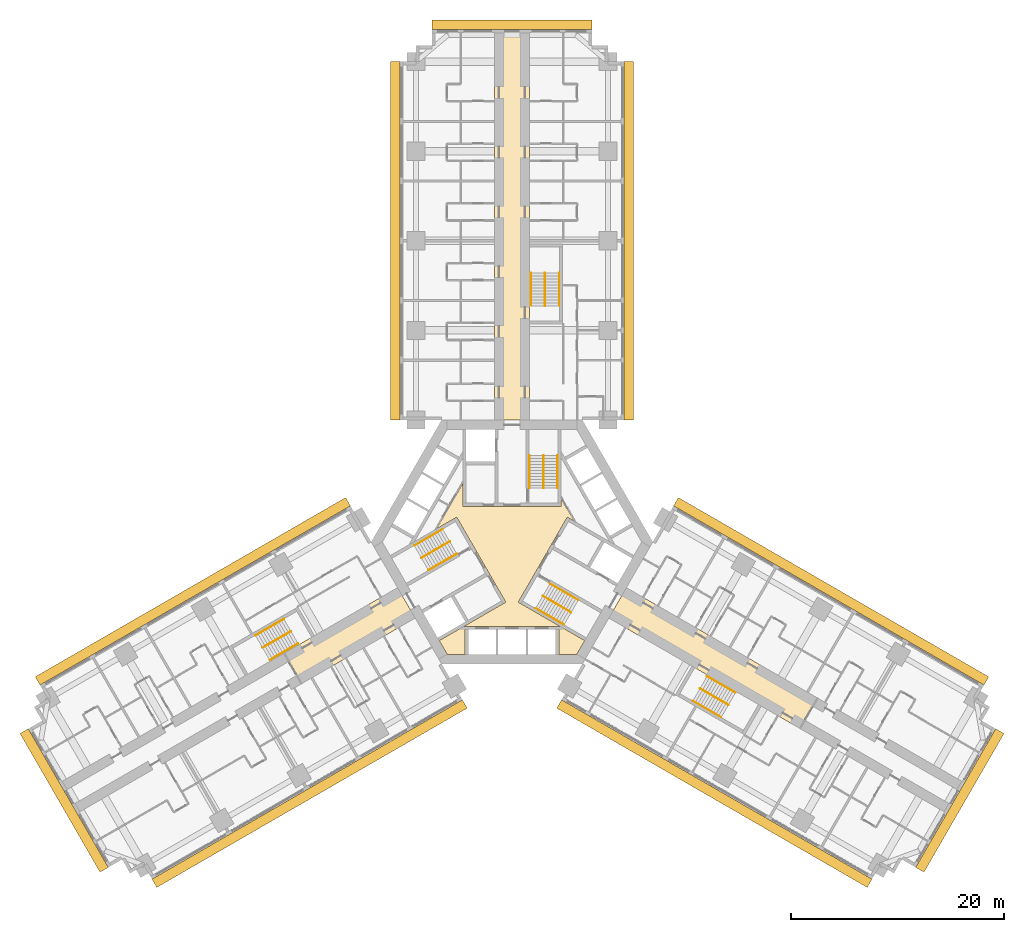
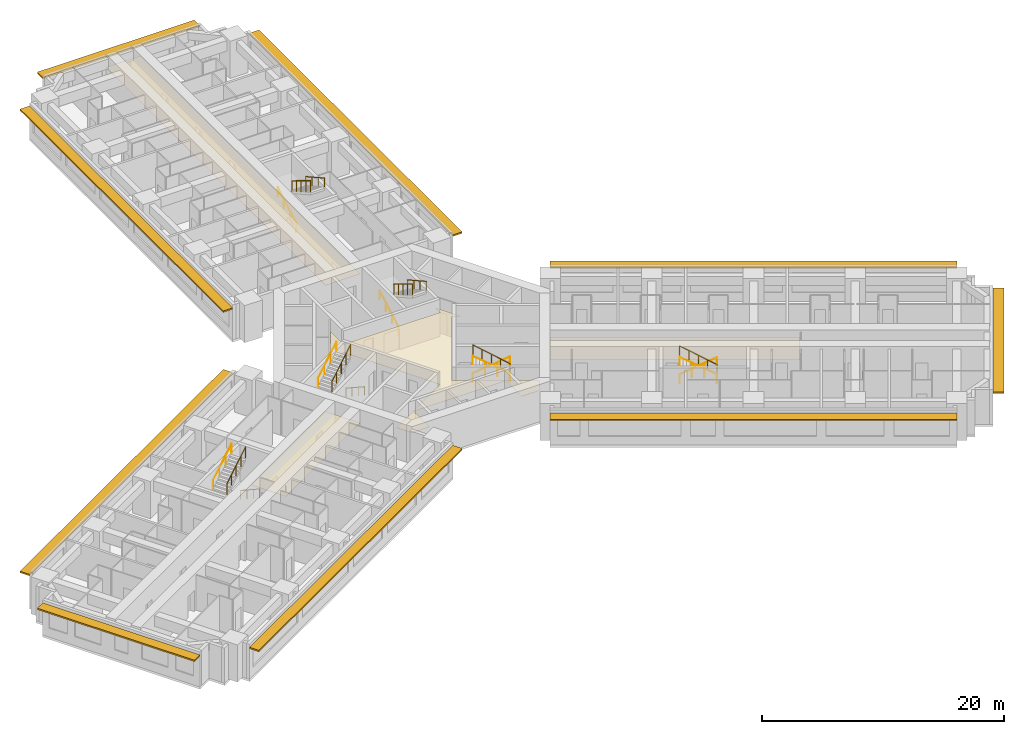
# One storey, part 17 of 17: 18 railings, 4 coverings, 3 shading devices.
"""IFC4 building model written with IfcOpenShell, lengths in metres."""

from ifc_helpers import new_model, si_unit, direction, frame, origin, origin_2d, place, context, subcontext, project, spatial, polyline, rectangle, circle, outline, extrude, material, layer, layer_set, type_object, element, save


model = new_model("IFC4")

# Units and contexts
model_context = context("Model", 3, precision=1e-05, world=origin(), true_north=direction((0.0, 1.0)))
body_context = subcontext(model_context, "Body", "Model", "MODEL_VIEW")
ifc_project = project(units=[si_unit("LENGTHUNIT", "METRE"), si_unit("AREAUNIT", "SQUARE_METRE"), si_unit("VOLUMEUNIT", "CUBIC_METRE"), si_unit("PLANEANGLEUNIT", "RADIAN"), si_unit("MASSUNIT", "GRAM", prefix="KILO")], contexts=[model_context])

# Site, building, storey
site_placement = place(None, origin())
site = spatial("IfcSite", under=ifc_project, at=site_placement, CompositionType="ELEMENT")
building_placement = place(site_placement, origin())
building = spatial("IfcBuilding", under=site, at=building_placement, Name="Impinga Residences", CompositionType="ELEMENT")
storey_placement = place(building_placement, frame((0.0, 0.0, 33.5)))
storey = spatial("IfcBuildingStorey", under=building, at=storey_placement, Name="L07", CompositionType="ELEMENT", Elevation=33.5)

# Coverings
ifc_material_1 = material(Name="Plasterboard 15 mm on steel hangers", Category="steel")
ifc_layer_1 = layer(ifc_material_1, 0.014892578125)
ifc_layer_set_1 = layer_set([ifc_layer_1], Name="Plasterboard 15 mm on steel hangers")
covering_type_1 = type_object("IfcCoveringType", Name="CL1 corridor ceiling, 15 mm plasterboard on hangers", PredefinedType="CEILING", material=ifc_layer_set_1)
covering_1_placement = place(storey_placement, frame((0.0, 0.0, 2.39990234375)))
element("IfcCovering", 1, at=covering_1_placement, inside=storey, type_object=covering_type_1, Name="Corridor ceiling CL1 L07-N00", PredefinedType="CEILING", context=body_context, shape_type="SweptSolid", body=[
    extrude(outline(polyline([(-1.64990234375, 11.431640625), (1.64990234375, 11.431640625), (1.64990234375, 47.7314453125), (-1.64990234375, 47.7314453125), (-1.64990234375, 11.431640625)])), origin(), (0.0, 0.0, 1.0), 0.01513671875),
])
covering_2_placement = place(storey_placement, frame((0.0, 0.0, 2.39990234375)))
element("IfcCovering", 2, at=covering_2_placement, inside=storey, type_object=covering_type_1, Name="Corridor ceiling CL1 L07-W00", PredefinedType="CEILING", context=body_context, shape_type="SweptSolid", body=[
    extrude(outline(polyline([(-10.72509765625, -4.286865234375), (-9.074951171875, -7.144775390625), (-19.684326171875, -13.27001953125), (-21.334228515625, -10.412109375), (-10.72509765625, -4.286865234375)])), origin(), (0.0, 0.0, 1.0), 0.01513671875),
])
covering_3_placement = place(storey_placement, frame((0.0, 0.0, 2.39990234375)))
element("IfcCovering", 3, at=covering_3_placement, inside=storey, type_object=covering_type_1, Name="Corridor ceiling CL1 L07-E00", PredefinedType="CEILING", context=body_context, shape_type="SweptSolid", body=[
    extrude(outline(polyline([(9.074951171875, -7.144775390625), (10.72509765625, -4.286865234375), (28.60888671875, -14.612060546875), (26.958740234375, -17.469970703125), (9.074951171875, -7.144775390625)])), origin(), (0.0, 0.0, 1.0), 0.01513671875),
])
ifc_material_2 = material(Name="Mineral fibre tiles 20 mm on exposed grid", Category="mineral fibre")
ifc_layer_2 = layer(ifc_material_2, 0.02001953125)
ifc_layer_set_2 = layer_set([ifc_layer_2], Name="CL2 lift lobby ceiling, 20 mm mineral fibre tiles")
covering_type_2 = type_object("IfcCoveringType", Name="CL2 lift lobby ceiling, 20 mm mineral fibre tiles", PredefinedType="CEILING", material=ifc_layer_set_2)
covering_4_placement = place(storey_placement, frame((0.0, 0.0, 2.39990234375)))
element("IfcCovering", 4, at=covering_4_placement, inside=storey, type_object=covering_type_2, Name="Lift lobby ceiling CL2 L07-C01", PredefinedType="CEILING", context=body_context, shape_type="SweptSolid", body=[
    extrude(outline(polyline([(6.080322265625, -10.531494140625), (4.39990234375, -10.531494140625), (4.39990234375, -7.931640625), (-4.39990234375, -7.931640625), (-4.39990234375, -10.531494140625), (-6.080322265625, -10.531494140625), (-6.820556640625, -9.24951171875), (-0.583984375, -5.648681640625), (-5.183837890625, 2.318603515625), (-7.059326171875, 1.23583984375), (-4.60009765625, 5.49560546875), (-4.60009765625, 3.330078125), (4.60009765625, 3.330078125), (4.60009765625, 4.095703125), (5.846923828125, 1.935791015625), (5.183837890625, 2.318603515625), (0.583984375, -5.648681640625), (6.820556640625, -9.24951171875), (6.080322265625, -10.531494140625)])), origin(), (0.0, 0.0, 1.0), 0.02001953125),
])

# Railings
ifc_material_3 = material(Name="Steel guard, powder coated", Category="steel")
railing_type_1 = type_object("IfcRailingType", Name="GR1 stair guard 1100", PredefinedType="GUARDRAIL", material=ifc_material_3)
railing_1_placement = place(storey_placement, frame((2.949951171875, 8.110107421875, 1.875)))
element("IfcRailing", 5, at=railing_1_placement, inside=storey, type_object=railing_type_1, Name="Stair guard GR1 ST1 L07", PredefinedType="GUARDRAIL", context=body_context, shape_type="SweptSolid", body=[
    extrude(circle(Radius=0.02392578125, at=origin_2d()), frame((0.0, 0.0, 1.076171875), z_axis=(0.0, -0.854177636135, 0.519981313056), x_axis=(1.0, 0.0, 0.0)), (0.0, 0.0, 1.0), 3.60595703125),
    extrude(circle(Radius=0.02099609375, at=origin_2d()), origin(), (0.0, 0.0, 1.0), 1.052001953125),
    extrude(circle(Radius=0.02099609375, at=origin_2d()), frame((0.0, -0.77001953125, 0.46875)), (0.0, 0.0, 1.0), 1.052001953125),
    extrude(circle(Radius=0.02099609375, at=origin_2d()), frame((0.0, -1.5400390625, 0.9375)), (0.0, 0.0, 1.0), 1.052001953125),
    extrude(circle(Radius=0.02099609375, at=origin_2d()), frame((0.0, -2.31005859375, 1.40625)), (0.0, 0.0, 1.0), 1.052001953125),
    extrude(circle(Radius=0.02099609375, at=origin_2d()), frame((0.0, -3.080078125, 1.875)), (0.0, 0.0, 1.0), 1.052001953125),
])
railing_2_placement = place(storey_placement, frame((-8.49853515625, -1.500244140625, 1.875)))
element("IfcRailing", 6, at=railing_2_placement, inside=storey, type_object=railing_type_1, Name="Stair guard GR1 ST2 L07", PredefinedType="GUARDRAIL", context=body_context, shape_type="SweptSolid", body=[
    extrude(circle(Radius=0.02392578125, at=origin_2d()), frame((0.0, 0.0, 1.076171875), z_axis=(0.739746383972, 0.427084037168, 0.519975492303), x_axis=(-0.499992328818, 0.866029832698, 0.0)), (0.0, 0.0, 1.0), 3.60595703125),
    extrude(circle(Radius=0.02099609375, at=origin_2d()), origin(), (0.0, 0.0, 1.0), 1.052001953125),
    extrude(circle(Radius=0.02099609375, at=origin_2d()), frame((0.6669921875, 0.385009765625, 0.46875)), (0.0, 0.0, 1.0), 1.052001953125),
    extrude(circle(Radius=0.02099609375, at=origin_2d()), frame((1.333740234375, 0.77001953125, 0.9375)), (0.0, 0.0, 1.0), 1.052001953125),
    extrude(circle(Radius=0.02099609375, at=origin_2d()), frame((2.00048828125, 1.155029296875, 1.40625)), (0.0, 0.0, 1.0), 1.052001953125),
    extrude(circle(Radius=0.02099609375, at=origin_2d()), frame((2.66748046875, 1.5400390625, 1.875)), (0.0, 0.0, 1.0), 1.052001953125),
])
railing_3_placement = place(storey_placement, frame((5.548583984375, -6.60986328125, 1.875)))
element("IfcRailing", 7, at=railing_3_placement, inside=storey, type_object=railing_type_1, Name="Stair guard GR1 ST3 L07", PredefinedType="GUARDRAIL", context=body_context, shape_type="SweptSolid", body=[
    extrude(circle(Radius=0.02392578125, at=origin_2d()), frame((0.0, 0.0, 1.076171875), z_axis=(-0.739746383972, 0.427084037168, 0.519975492303), x_axis=(-0.499992328818, -0.866029832698, 0.0)), (0.0, 0.0, 1.0), 3.60595703125),
    extrude(circle(Radius=0.02099609375, at=origin_2d()), origin(), (0.0, 0.0, 1.0), 1.052001953125),
    extrude(circle(Radius=0.02099609375, at=origin_2d()), frame((-0.6669921875, 0.385009765625, 0.46875)), (0.0, 0.0, 1.0), 1.052001953125),
    extrude(circle(Radius=0.02099609375, at=origin_2d()), frame((-1.333740234375, 0.77001953125, 0.9375)), (0.0, 0.0, 1.0), 1.052001953125),
    extrude(circle(Radius=0.02099609375, at=origin_2d()), frame((-2.00048828125, 1.155029296875, 1.40625)), (0.0, 0.0, 1.0), 1.052001953125),
    extrude(circle(Radius=0.02099609375, at=origin_2d()), frame((-2.66748046875, 1.5400390625, 1.875)), (0.0, 0.0, 1.0), 1.052001953125),
])
railing_4_placement = place(storey_placement, frame((3.10009765625, 25.21142578125, 1.875)))
element("IfcRailing", 8, at=railing_4_placement, inside=storey, type_object=railing_type_1, Name="Stair guard GR1 WS1 L07", PredefinedType="GUARDRAIL", context=body_context, shape_type="SweptSolid", body=[
    extrude(circle(Radius=0.02392578125, at=origin_2d()), frame((0.0, 0.0, 1.076171875), z_axis=(0.0, -0.854159328187, 0.520011386482), x_axis=(1.0, 0.0, 0.0)), (0.0, 0.0, 1.0), 3.605712890625),
    extrude(circle(Radius=0.02099609375, at=origin_2d()), origin(), (0.0, 0.0, 1.0), 1.052001953125),
    extrude(circle(Radius=0.02099609375, at=origin_2d()), frame((0.0, -0.77001953125, 0.46875)), (0.0, 0.0, 1.0), 1.052001953125),
    extrude(circle(Radius=0.02099609375, at=origin_2d()), frame((0.0, -1.5400390625, 0.9375)), (0.0, 0.0, 1.0), 1.052001953125),
    extrude(circle(Radius=0.02099609375, at=origin_2d()), frame((0.0, -2.309814453125, 1.40625)), (0.0, 0.0, 1.0), 1.052001953125),
    extrude(circle(Radius=0.02099609375, at=origin_2d()), frame((0.0, -3.079833984375, 1.875)), (0.0, 0.0, 1.0), 1.052001953125),
])
railing_5_placement = place(storey_placement, frame((-23.3837890625, -9.921142578125, 1.875)))
element("IfcRailing", 9, at=railing_5_placement, inside=storey, type_object=railing_type_1, Name="Stair guard GR1 WS2 L07", PredefinedType="GUARDRAIL", context=body_context, shape_type="SweptSolid", body=[
    extrude(circle(Radius=0.02392578125, at=origin_2d()), frame((0.0, 0.0, 1.076171875), z_axis=(0.739715726454, 0.427105428144, 0.52000153585), x_axis=(-0.500026652407, 0.866010015463, 0.0)), (0.0, 0.0, 1.0), 3.605712890625),
    extrude(circle(Radius=0.02099609375, at=origin_2d()), origin(), (0.0, 0.0, 1.0), 1.052001953125),
    extrude(circle(Radius=0.02099609375, at=origin_2d()), frame((0.666748046875, 0.385009765625, 0.46875)), (0.0, 0.0, 1.0), 1.052001953125),
    extrude(circle(Radius=0.02099609375, at=origin_2d()), frame((1.33349609375, 0.77001953125, 0.9375)), (0.0, 0.0, 1.0), 1.052001953125),
    extrude(circle(Radius=0.02099609375, at=origin_2d()), frame((2.00048828125, 1.155029296875, 1.40625)), (0.0, 0.0, 1.0), 1.052001953125),
    extrude(circle(Radius=0.02099609375, at=origin_2d()), frame((2.667236328125, 1.5400390625, 1.875)), (0.0, 0.0, 1.0), 1.052001953125),
])
railing_6_placement = place(storey_placement, frame((20.283935546875, -15.29052734375, 1.875)))
element("IfcRailing", 10, at=railing_6_placement, inside=storey, type_object=railing_type_1, Name="Stair guard GR1 WS3 L07", PredefinedType="GUARDRAIL", context=body_context, shape_type="SweptSolid", body=[
    extrude(circle(Radius=0.02392578125, at=origin_2d()), frame((0.0, 0.0, 1.076171875), z_axis=(-0.739746383972, 0.427084037168, 0.519975492303), x_axis=(-0.499992328818, -0.866029832698, 0.0)), (0.0, 0.0, 1.0), 3.60595703125),
    extrude(circle(Radius=0.02099609375, at=origin_2d()), origin(), (0.0, 0.0, 1.0), 1.052001953125),
    extrude(circle(Radius=0.02099609375, at=origin_2d()), frame((-0.6669921875, 0.385009765625, 0.46875)), (0.0, 0.0, 1.0), 1.052001953125),
    extrude(circle(Radius=0.02099609375, at=origin_2d()), frame((-1.333740234375, 0.77001953125, 0.9375)), (0.0, 0.0, 1.0), 1.052001953125),
    extrude(circle(Radius=0.02099609375, at=origin_2d()), frame((-2.00048828125, 1.155029296875, 1.40625)), (0.0, 0.0, 1.0), 1.052001953125),
    extrude(circle(Radius=0.02099609375, at=origin_2d()), frame((-2.66748046875, 1.5400390625, 1.875)), (0.0, 0.0, 1.0), 1.052001953125),
])
ifc_material_4 = material(Name="Steel handrail tube 42 mm, powder coated", Category="steel")
railing_type_2 = type_object("IfcRailingType", Name="HR1 stair handrail, 42 mm steel tube, 900 above the pitch line", PredefinedType="HANDRAIL", material=ifc_material_4)
railing_7_placement = place(storey_placement, frame((1.62109375, 5.030029296875, 0.15625)))
element("IfcRailing", 11, at=railing_7_placement, inside=storey, type_object=railing_type_2, Name="Stair handrail HR1 ST1 L07", PredefinedType="HANDRAIL", context=body_context, shape_type="SweptSolid", body=[
    extrude(circle(Radius=0.02099609375, at=origin_2d()), frame((0.0, 0.0, 0.87890625), z_axis=(0.0, 0.873241540666, 0.487287606713), x_axis=(-1.0, 0.0, 0.0)), (0.0, 0.0, 1.0), 3.527099609375),
    extrude(circle(Radius=0.012451171875, at=origin_2d()), origin(), (0.0, 0.0, 1.0), 0.85791015625),
    extrude(circle(Radius=0.012451171875, at=origin_2d()), frame((0.0, 1.026611328125, 0.572998046875)), (0.0, 0.0, 1.0), 0.85791015625),
    extrude(circle(Radius=0.012451171875, at=origin_2d()), frame((0.0, 2.053466796875, 1.145751953125)), (0.0, 0.0, 1.0), 0.85791015625),
    extrude(circle(Radius=0.012451171875, at=origin_2d()), frame((0.0, 3.080078125, 1.71875)), (0.0, 0.0, 1.0), 0.85791015625),
])
railing_8_placement = place(storey_placement, frame((4.279052734375, 8.110107421875, 2.03125)))
element("IfcRailing", 12, at=railing_8_placement, inside=storey, type_object=railing_type_2, Name="Stair handrail HR1 ST1 L07", PredefinedType="HANDRAIL", context=body_context, shape_type="SweptSolid", body=[
    extrude(circle(Radius=0.02099609375, at=origin_2d()), frame((0.0, 0.0, 0.87890625), z_axis=(0.0, -0.873241540666, 0.487287606713), x_axis=(1.0, 0.0, 0.0)), (0.0, 0.0, 1.0), 3.527099609375),
    extrude(circle(Radius=0.012451171875, at=origin_2d()), origin(), (0.0, 0.0, 1.0), 0.85791015625),
    extrude(circle(Radius=0.012451171875, at=origin_2d()), frame((0.0, -1.026611328125, 0.572998046875)), (0.0, 0.0, 1.0), 0.85791015625),
    extrude(circle(Radius=0.012451171875, at=origin_2d()), frame((0.0, -2.053466796875, 1.145751953125)), (0.0, 0.0, 1.0), 0.85791015625),
    extrude(circle(Radius=0.012451171875, at=origin_2d()), frame((0.0, -3.080078125, 1.71875)), (0.0, 0.0, 1.0), 0.85791015625),
])
railing_9_placement = place(storey_placement, frame((-5.16650390625, -1.111083984375, 0.15625)))
element("IfcRailing", 13, at=railing_9_placement, inside=storey, type_object=railing_type_2, Name="Stair handrail HR1 ST2 L07", PredefinedType="HANDRAIL", context=body_context, shape_type="SweptSolid", body=[
    extrude(circle(Radius=0.02099609375, at=origin_2d()), frame((0.0, 0.0, 0.87890625), z_axis=(-0.756255980417, -0.436615662133, 0.487281905742), x_axis=(0.499992328818, -0.866029832698, 0.0)), (0.0, 0.0, 1.0), 3.527099609375),
    extrude(circle(Radius=0.012451171875, at=origin_2d()), origin(), (0.0, 0.0, 1.0), 0.85791015625),
    extrude(circle(Radius=0.012451171875, at=origin_2d()), frame((-0.88916015625, -0.513427734375, 0.572998046875)), (0.0, 0.0, 1.0), 0.85791015625),
    extrude(circle(Radius=0.012451171875, at=origin_2d()), frame((-1.7783203125, -1.026611328125, 1.145751953125)), (0.0, 0.0, 1.0), 0.85791015625),
    extrude(circle(Radius=0.012451171875, at=origin_2d()), frame((-2.66748046875, -1.5400390625, 1.71875)), (0.0, 0.0, 1.0), 0.85791015625),
])
railing_10_placement = place(storey_placement, frame((-9.1630859375, -0.349365234375, 2.03125)))
element("IfcRailing", 14, at=railing_10_placement, inside=storey, type_object=railing_type_2, Name="Stair handrail HR1 ST2 L07", PredefinedType="HANDRAIL", context=body_context, shape_type="SweptSolid", body=[
    extrude(circle(Radius=0.02099609375, at=origin_2d()), frame((0.0, 0.0, 0.87890625), z_axis=(0.756255980417, 0.436615662133, 0.487281905742), x_axis=(-0.499992328818, 0.866029832698, 0.0)), (0.0, 0.0, 1.0), 3.527099609375),
    extrude(circle(Radius=0.012451171875, at=origin_2d()), origin(), (0.0, 0.0, 1.0), 0.85791015625),
    extrude(circle(Radius=0.012451171875, at=origin_2d()), frame((0.88916015625, 0.513427734375, 0.572998046875)), (0.0, 0.0, 1.0), 0.85791015625),
    extrude(circle(Radius=0.012451171875, at=origin_2d()), frame((1.7783203125, 1.026611328125, 1.145751953125)), (0.0, 0.0, 1.0), 0.85791015625),
    extrude(circle(Radius=0.012451171875, at=origin_2d()), frame((2.66748046875, 1.5400390625, 1.71875)), (0.0, 0.0, 1.0), 0.85791015625),
])
railing_11_placement = place(storey_placement, frame((3.545654296875, -3.9189453125, 0.15625)))
element("IfcRailing", 15, at=railing_11_placement, inside=storey, type_object=railing_type_2, Name="Stair handrail HR1 ST3 L07", PredefinedType="HANDRAIL", context=body_context, shape_type="SweptSolid", body=[
    extrude(circle(Radius=0.02099609375, at=origin_2d()), frame((0.0, 0.0, 0.87890625), z_axis=(0.756249203677, -0.436582492228, 0.487322141317), x_axis=(0.499967199496, 0.866044340336, 0.0)), (0.0, 0.0, 1.0), 3.52685546875),
    extrude(circle(Radius=0.012451171875, at=origin_2d()), origin(), (0.0, 0.0, 1.0), 0.85791015625),
    extrude(circle(Radius=0.012451171875, at=origin_2d()), frame((0.88916015625, -0.51318359375, 0.572998046875)), (0.0, 0.0, 1.0), 0.85791015625),
    extrude(circle(Radius=0.012451171875, at=origin_2d()), frame((1.778076171875, -1.026611328125, 1.145751953125)), (0.0, 0.0, 1.0), 0.85791015625),
    extrude(circle(Radius=0.012451171875, at=origin_2d()), frame((2.667236328125, -1.539794921875, 1.71875)), (0.0, 0.0, 1.0), 0.85791015625),
])
railing_12_placement = place(storey_placement, frame((4.884033203125, -7.7607421875, 2.03125)))
element("IfcRailing", 16, at=railing_12_placement, inside=storey, type_object=railing_type_2, Name="Stair handrail HR1 ST3 L07", PredefinedType="HANDRAIL", context=body_context, shape_type="SweptSolid", body=[
    extrude(circle(Radius=0.02099609375, at=origin_2d()), frame((0.0, 0.0, 0.87890625), z_axis=(-0.756255980417, 0.436615662133, 0.487281905742), x_axis=(-0.499992328818, -0.866029832698, 0.0)), (0.0, 0.0, 1.0), 3.527099609375),
    extrude(circle(Radius=0.012451171875, at=origin_2d()), origin(), (0.0, 0.0, 1.0), 0.85791015625),
    extrude(circle(Radius=0.012451171875, at=origin_2d()), frame((-0.88916015625, 0.513427734375, 0.572998046875)), (0.0, 0.0, 1.0), 0.85791015625),
    extrude(circle(Radius=0.012451171875, at=origin_2d()), frame((-1.7783203125, 1.026611328125, 1.145751953125)), (0.0, 0.0, 1.0), 0.85791015625),
    extrude(circle(Radius=0.012451171875, at=origin_2d()), frame((-2.66748046875, 1.5400390625, 1.71875)), (0.0, 0.0, 1.0), 0.85791015625),
])
railing_13_placement = place(storey_placement, frame((1.77099609375, 22.131591796875, 0.15625)))
element("IfcRailing", 17, at=railing_13_placement, inside=storey, type_object=railing_type_2, Name="Stair handrail HR1 WS1 L07", PredefinedType="HANDRAIL", context=body_context, shape_type="SweptSolid", body=[
    extrude(circle(Radius=0.02099609375, at=origin_2d()), frame((0.0, 0.0, 0.87890625), z_axis=(0.0, 0.873225103656, 0.487317061414), x_axis=(-1.0, 0.0, 0.0)), (0.0, 0.0, 1.0), 3.52685546875),
    extrude(circle(Radius=0.012451171875, at=origin_2d()), origin(), (0.0, 0.0, 1.0), 0.85791015625),
    extrude(circle(Radius=0.012451171875, at=origin_2d()), frame((0.0, 1.026611328125, 0.572998046875)), (0.0, 0.0, 1.0), 0.85791015625),
    extrude(circle(Radius=0.012451171875, at=origin_2d()), frame((0.0, 2.05322265625, 1.145751953125)), (0.0, 0.0, 1.0), 0.85791015625),
    extrude(circle(Radius=0.012451171875, at=origin_2d()), frame((0.0, 3.079833984375, 1.71875)), (0.0, 0.0, 1.0), 0.85791015625),
])
railing_14_placement = place(storey_placement, frame((4.428955078125, 25.21142578125, 2.03125)))
element("IfcRailing", 18, at=railing_14_placement, inside=storey, type_object=railing_type_2, Name="Stair handrail HR1 WS1 L07", PredefinedType="HANDRAIL", context=body_context, shape_type="SweptSolid", body=[
    extrude(circle(Radius=0.02099609375, at=origin_2d()), frame((0.0, 0.0, 0.87890625), z_axis=(0.0, -0.873225103656, 0.487317061414), x_axis=(1.0, 0.0, 0.0)), (0.0, 0.0, 1.0), 3.52685546875),
    extrude(circle(Radius=0.012451171875, at=origin_2d()), origin(), (0.0, 0.0, 1.0), 0.85791015625),
    extrude(circle(Radius=0.012451171875, at=origin_2d()), frame((0.0, -1.026611328125, 0.572998046875)), (0.0, 0.0, 1.0), 0.85791015625),
    extrude(circle(Radius=0.012451171875, at=origin_2d()), frame((0.0, -2.05322265625, 1.145751953125)), (0.0, 0.0, 1.0), 0.85791015625),
    extrude(circle(Radius=0.012451171875, at=origin_2d()), frame((0.0, -3.079833984375, 1.71875)), (0.0, 0.0, 1.0), 0.85791015625),
])
railing_15_placement = place(storey_placement, frame((-20.052001953125, -9.531982421875, 0.15625)))
element("IfcRailing", 19, at=railing_15_placement, inside=storey, type_object=railing_type_2, Name="Stair handrail HR1 WS2 L07", PredefinedType="HANDRAIL", context=body_context, shape_type="SweptSolid", body=[
    extrude(circle(Radius=0.02099609375, at=origin_2d()), frame((0.0, 0.0, 0.87890625), z_axis=(-0.756226348243, -0.436638517594, 0.487307413422), x_axis=(0.500026652407, -0.866010015463, 0.0)), (0.0, 0.0, 1.0), 3.527099609375),
    extrude(circle(Radius=0.012451171875, at=origin_2d()), origin(), (0.0, 0.0, 1.0), 0.85791015625),
    extrude(circle(Radius=0.012451171875, at=origin_2d()), frame((-0.88916015625, -0.513427734375, 0.572998046875)), (0.0, 0.0, 1.0), 0.85791015625),
    extrude(circle(Radius=0.012451171875, at=origin_2d()), frame((-1.778076171875, -1.026611328125, 1.145751953125)), (0.0, 0.0, 1.0), 0.85791015625),
    extrude(circle(Radius=0.012451171875, at=origin_2d()), frame((-2.667236328125, -1.5400390625, 1.71875)), (0.0, 0.0, 1.0), 0.85791015625),
])
railing_16_placement = place(storey_placement, frame((-24.04833984375, -8.77001953125, 2.03125)))
element("IfcRailing", 20, at=railing_16_placement, inside=storey, type_object=railing_type_2, Name="Stair handrail HR1 WS2 L07", PredefinedType="HANDRAIL", context=body_context, shape_type="SweptSolid", body=[
    extrude(circle(Radius=0.02099609375, at=origin_2d()), frame((0.0, 0.0, 0.87890625), z_axis=(0.756278834354, 0.436559638319, 0.487296631324), x_axis=(-0.499932877268, 0.866064153644, 0.0)), (0.0, 0.0, 1.0), 3.527099609375),
    extrude(circle(Radius=0.012451171875, at=origin_2d()), origin(), (0.0, 0.0, 1.0), 0.85791015625),
    extrude(circle(Radius=0.012451171875, at=origin_2d()), frame((0.88916015625, 0.51318359375, 0.572998046875)), (0.0, 0.0, 1.0), 0.85791015625),
    extrude(circle(Radius=0.012451171875, at=origin_2d()), frame((1.7783203125, 1.026611328125, 1.145751953125)), (0.0, 0.0, 1.0), 0.85791015625),
    extrude(circle(Radius=0.012451171875, at=origin_2d()), frame((2.66748046875, 1.539794921875, 1.71875)), (0.0, 0.0, 1.0), 0.85791015625),
])
railing_17_placement = place(storey_placement, frame((18.281005859375, -12.599609375, 0.15625)))
element("IfcRailing", 21, at=railing_17_placement, inside=storey, type_object=railing_type_2, Name="Stair handrail HR1 WS3 L07", PredefinedType="HANDRAIL", context=body_context, shape_type="SweptSolid", body=[
    extrude(circle(Radius=0.02099609375, at=origin_2d()), frame((0.0, 0.0, 0.87890625), z_axis=(0.756249203677, -0.436582492228, 0.487322141317), x_axis=(0.499967199496, 0.866044340336, 0.0)), (0.0, 0.0, 1.0), 3.52685546875),
    extrude(circle(Radius=0.012451171875, at=origin_2d()), origin(), (0.0, 0.0, 1.0), 0.85791015625),
    extrude(circle(Radius=0.012451171875, at=origin_2d()), frame((0.88916015625, -0.51318359375, 0.572998046875)), (0.0, 0.0, 1.0), 0.85791015625),
    extrude(circle(Radius=0.012451171875, at=origin_2d()), frame((1.778076171875, -1.026611328125, 1.145751953125)), (0.0, 0.0, 1.0), 0.85791015625),
    extrude(circle(Radius=0.012451171875, at=origin_2d()), frame((2.667236328125, -1.539794921875, 1.71875)), (0.0, 0.0, 1.0), 0.85791015625),
])
railing_18_placement = place(storey_placement, frame((19.619384765625, -16.44140625, 2.03125)))
element("IfcRailing", 22, at=railing_18_placement, inside=storey, type_object=railing_type_2, Name="Stair handrail HR1 WS3 L07", PredefinedType="HANDRAIL", context=body_context, shape_type="SweptSolid", body=[
    extrude(circle(Radius=0.02099609375, at=origin_2d()), frame((0.0, 0.0, 0.87890625), z_axis=(-0.756255980417, 0.436615662133, 0.487281905742), x_axis=(-0.499992328818, -0.866029832698, 0.0)), (0.0, 0.0, 1.0), 3.527099609375),
    extrude(circle(Radius=0.012451171875, at=origin_2d()), origin(), (0.0, 0.0, 1.0), 0.85791015625),
    extrude(circle(Radius=0.012451171875, at=origin_2d()), frame((-0.88916015625, 0.513427734375, 0.572998046875)), (0.0, 0.0, 1.0), 0.85791015625),
    extrude(circle(Radius=0.012451171875, at=origin_2d()), frame((-1.7783203125, 1.026611328125, 1.145751953125)), (0.0, 0.0, 1.0), 0.85791015625),
    extrude(circle(Radius=0.012451171875, at=origin_2d()), frame((-2.66748046875, 1.5400390625, 1.71875)), (0.0, 0.0, 1.0), 0.85791015625),
])

# Shading devices
ifc_material_5 = material(Name="Terracotta sunshade blades on aluminium brackets", Category="masonry")
ifc_layer_3 = layer(ifc_material_5, 0.14990234375)
ifc_layer_set_3 = layer_set([ifc_layer_3], Name="SS1 SUNSHADE terracotta sunshade band 900")
shading_device_type = type_object("IfcShadingDeviceType", Name="SS1 SUNSHADE terracotta sunshade band 900", PredefinedType="USERDEFINED", material=ifc_layer_set_3)
shading_device_1_placement = place(storey_placement, frame((-10.949951171875, 28.2314453125, 3.10009765625), z_axis=(0.0, 0.0, 1.0), x_axis=(0.0, 1.0, 0.0)))
element("IfcShadingDevice", 23, at=shading_device_1_placement, inside=storey, type_object=shading_device_type, Name="SUNSHADE band L07 NORTH WING", ObjectType="SUNSHADE", PredefinedType="USERDEFINED", context=body_context, shape_type="SweptSolid", body=[
    extrude(rectangle(XDim=33.60009765625, YDim=0.89990234375, at=origin_2d()), origin(), (0.0, 0.0, 1.0), 0.14990234375),
    extrude(rectangle(XDim=15.0, YDim=0.89990234375, at=origin_2d()), frame((20.25, -10.949951171875, 0.0), z_axis=(0.0, 0.0, 1.0), x_axis=(0.0, -1.0, 0.0)), (0.0, 0.0, 1.0), 0.14990234375),
    extrude(rectangle(XDim=33.60009765625, YDim=0.89990234375, at=origin_2d()), frame((0.0, -21.89990234375, 0.0), z_axis=(0.0, 0.0, 1.0), x_axis=(-1.0, 0.0, 0.0)), (0.0, 0.0, 1.0), 0.14990234375),
])
shading_device_2_placement = place(storey_placement, frame((-41.986328125, -24.24072265625, 3.10009765625), z_axis=(0.0, 0.0, 1.0), x_axis=(-0.5, 0.866025403784, 0.0)))
element("IfcShadingDevice", 24, at=shading_device_2_placement, inside=storey, type_object=shading_device_type, Name="SUNSHADE band L07 WEST WING", ObjectType="SUNSHADE", PredefinedType="USERDEFINED", context=body_context, shape_type="SweptSolid", body=[
    extrude(rectangle(XDim=15.0, YDim=0.89990234375, at=origin_2d()), origin(), (0.0, 0.0, 1.0), 0.14990234375),
    extrude(rectangle(XDim=33.60009765625, YDim=0.89990234375, at=origin_2d()), frame((10.949951171875, -20.25, 0.0), z_axis=(0.0, 0.0, 1.0), x_axis=(0.0, -1.0, 0.0)), (0.0, 0.0, 1.0), 0.14990234375),
    extrude(rectangle(XDim=33.60009765625, YDim=0.89990234375, at=origin_2d()), frame((-10.949951171875, -20.250244140625, 0.0), z_axis=(0.0, 0.0, 1.0), x_axis=(0.0, 1.0, 0.0)), (0.0, 0.0, 1.0), 0.14990234375),
])
shading_device_3_placement = place(storey_placement, frame((29.92431640625, -4.6328125, 3.10009765625), z_axis=(0.0, 0.0, 1.0), x_axis=(0.866025403784, -0.5, 0.0)))
element("IfcShadingDevice", 25, at=shading_device_3_placement, inside=storey, type_object=shading_device_type, Name="SUNSHADE band L07 EAST WING", ObjectType="SUNSHADE", PredefinedType="USERDEFINED", context=body_context, shape_type="SweptSolid", body=[
    extrude(rectangle(XDim=33.60009765625, YDim=0.89990234375, at=origin_2d()), origin(), (0.0, 0.0, 1.0), 0.14990234375),
    extrude(rectangle(XDim=15.0, YDim=0.89990234375, at=origin_2d()), frame((20.25, -10.949951171875, 0.0), z_axis=(0.0, 0.0, 1.0), x_axis=(0.0, -1.0, 0.0)), (0.0, 0.0, 1.0), 0.14990234375),
    extrude(rectangle(XDim=33.60009765625, YDim=0.89990234375, at=origin_2d()), frame((-0.000244140625, -21.89990234375, 0.0), z_axis=(0.0, 0.0, 1.0), x_axis=(-1.0, 0.0, 0.0)), (0.0, 0.0, 1.0), 0.14990234375),
])

save(model, "model.ifc")
